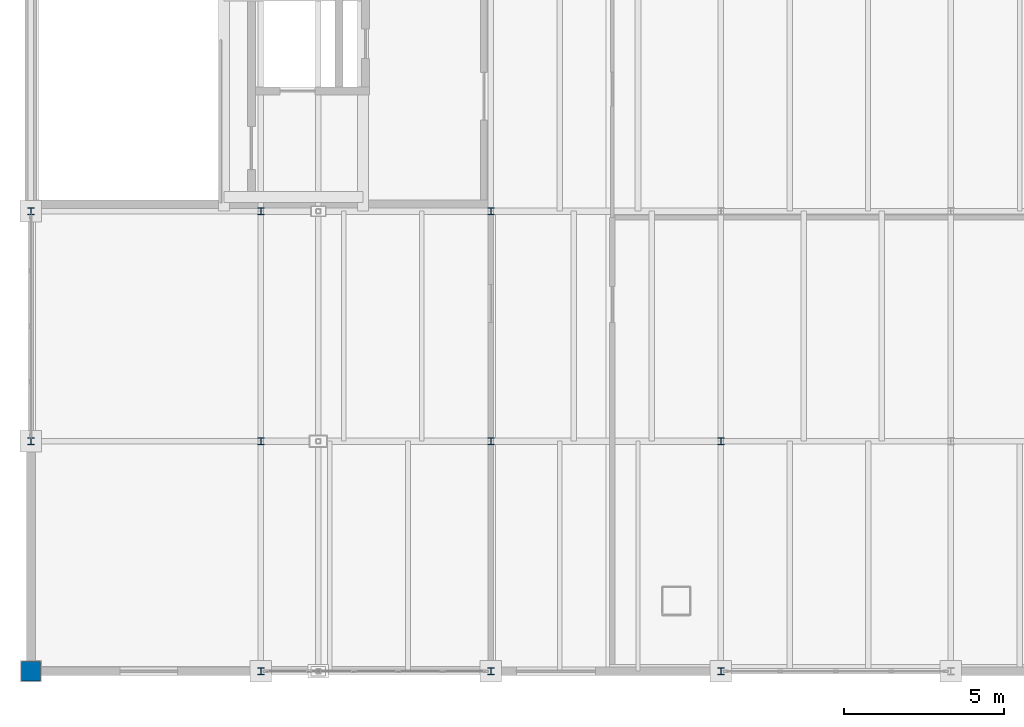
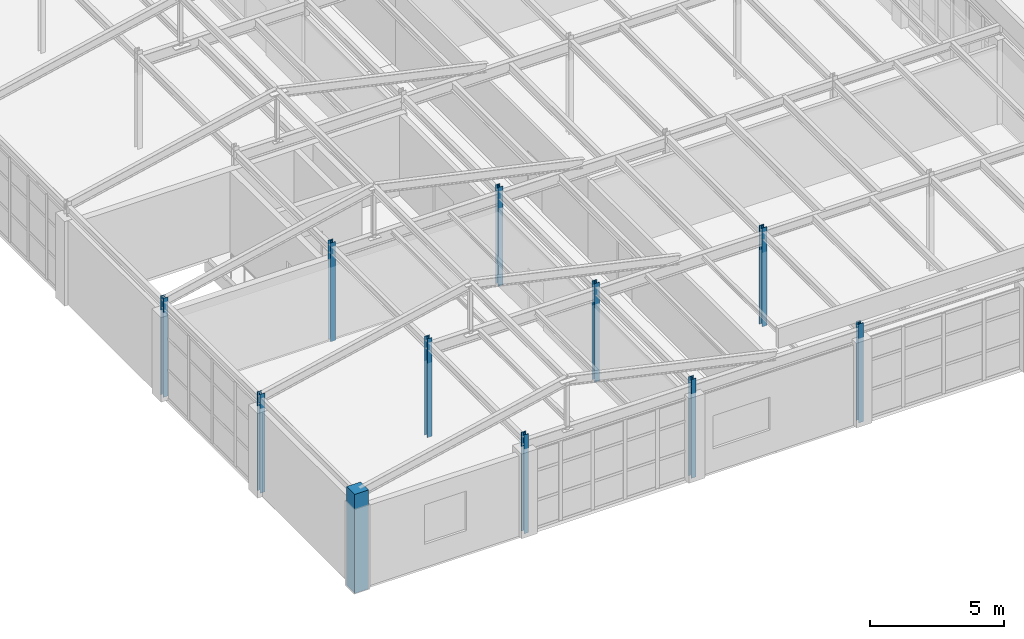
# One storey, part 1 of 43: 11 columns.
"""IFC4 building model written with IfcOpenShell, lengths in metres."""

from ifc_helpers import new_model, si_unit, direction, frame, origin, origin_with_axes, origin_2d, place, context, subcontext, project, spatial, rectangle, i_section, extrude, material, material_profile, profile_set, type_object, element, save


model = new_model("IFC4")

# Units and contexts
model_context = context("Model", 3, precision=1e-05, world=origin(), true_north=direction((0.0, 1.0)))
body_context = subcontext(model_context, "Body", "Model", "MODEL_VIEW")
ifc_project = project(units=[si_unit("LENGTHUNIT", "METRE"), si_unit("AREAUNIT", "SQUARE_METRE"), si_unit("VOLUMEUNIT", "CUBIC_METRE"), si_unit("PLANEANGLEUNIT", "RADIAN"), si_unit("MASSUNIT", "GRAM", prefix="KILO")], contexts=[model_context])

# Site, building, storey
site_placement = place(None, origin())
site = spatial("IfcSite", under=ifc_project, at=site_placement, CompositionType="ELEMENT")
building_placement = place(site_placement, origin())
building = spatial("IfcBuilding", under=site, at=building_placement, Name="Kemerveld Promenade Tramway Depot", CompositionType="ELEMENT")
storey_placement = place(building_placement, frame((0.0, 0.0, 18.89990234375)))
storey = spatial("IfcBuildingStorey", under=building, at=storey_placement, Name="L04", CompositionType="ELEMENT", Elevation=18.89990234375)

# Columns
ifc_material_1 = material(Name="Concrete C40/50", Category="concrete")
ifc_material_profile_1 = material_profile(ifc_material_1, rectangle(XDim=0.60009765625, YDim=0.60009765625, at=origin_2d()), Name="RC-COL-600x600")
ifc_profile_set_1 = profile_set([ifc_material_profile_1], Name="Concrete C40/50")
column_type_1 = type_object("IfcColumnType", Name="COL-RC1", PredefinedType="COLUMN", material=ifc_profile_set_1)
column_placement = place(storey_placement, origin_with_axes())
element("IfcColumn", 1, at=column_placement, inside=storey, type_object=column_type_1, Name="COL-L04-01-A", PredefinedType="COLUMN", context=body_context, shape_type="SweptSolid", body=[
    extrude(rectangle(XDim=0.60009765625, YDim=0.60009765625, at=origin_2d()), origin(), (0.0, 0.0, 1.0), 4.5),
])
ifc_material_2 = material(Name="Steel S355", Category="steel")
ifc_material_profile_2 = material_profile(ifc_material_2, i_section(OverallWidth=0.205810546875, OverallDepth=0.209716796875, WebThickness=0.009521484375, FlangeThickness=0.01416015625, FilletRadius=0.01025390625, at=origin_2d()), Name="203x203x60 UC")
ifc_profile_set_2 = profile_set([ifc_material_profile_2], Name="Steel S355")
column_type_2 = type_object("IfcColumnType", Name="COL-S10", PredefinedType="COLUMN", material=ifc_profile_set_2)
for number, where, z_axis, x_axis, name in (
    (2, (0.0, 7.199951171875, 0.0), (0.0, 0.0, 1.0), (1.0, 0.0, 0.0), "COL-L04-01-B"),
    (3, (0.0, 14.39990234375, 0.0), (0.0, 0.0, 1.0), (1.0, 0.0, 0.0), "COL-L04-01-C"),
    (4, (7.199951171875, 0.0, 0.0), (0.0, 0.0, 1.0), (1.0, 0.0, 0.0), "COL-L04-02-A"),
    (5, (7.199951171875, 7.199951171875, 0.0), (0.0, 0.0, 1.0), (1.0, 0.0, 0.0), "COL-L04-02-B"),
    (6, (7.199951171875, 14.39990234375, 0.0), (0.0, 0.0, 1.0), (1.0, 0.0, 0.0), "COL-L04-02-C"),
    (7, (14.39990234375, 0.0, 0.0), (0.0, 0.0, 1.0), (1.0, 0.0, 0.0), "COL-L04-03-A"),
    (8, (14.39990234375, 7.199951171875, 0.0), (0.0, 0.0, 1.0), (1.0, 0.0, 0.0), "COL-L04-03-B"),
    (9, (14.39990234375, 14.39990234375, 0.0), (0.0, 0.0, 1.0), (1.0, 0.0, 0.0), "COL-L04-03-C"),
    (10, (21.60009765625, 0.0, 0.0), (0.0, 0.0, 1.0), (1.0, 0.0, 0.0), "COL-L04-04-A"),
    (11, (21.60009765625, 7.199951171875, 0.0), (0.0, 0.0, 1.0), (1.0, 0.0, 0.0), "COL-L04-04-B"),
):
    element("IfcColumn", number, at=place(storey_placement, frame(where, z_axis=z_axis, x_axis=x_axis)), inside=storey, type_object=column_type_2, Name=name, PredefinedType="COLUMN", context=body_context, shape_type="SweptSolid", body=[
        extrude(i_section(OverallWidth=0.205810546875, OverallDepth=0.209716796875, WebThickness=0.009521484375, FlangeThickness=0.01416015625, FilletRadius=0.01025390625, at=origin_2d()), origin(), (0.0, 0.0, 1.0), 4.5),
    ])

save(model, "model.ifc")
